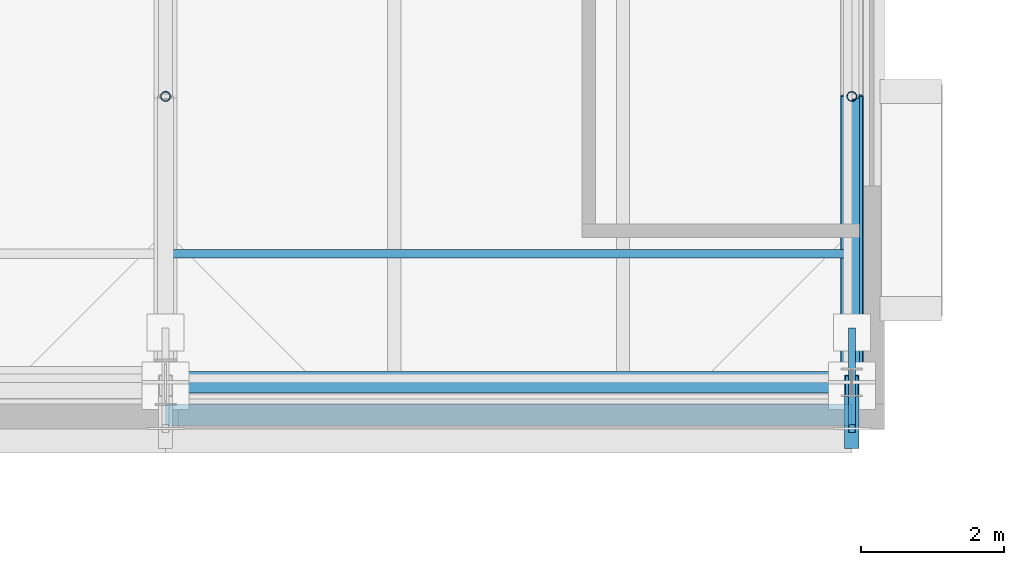
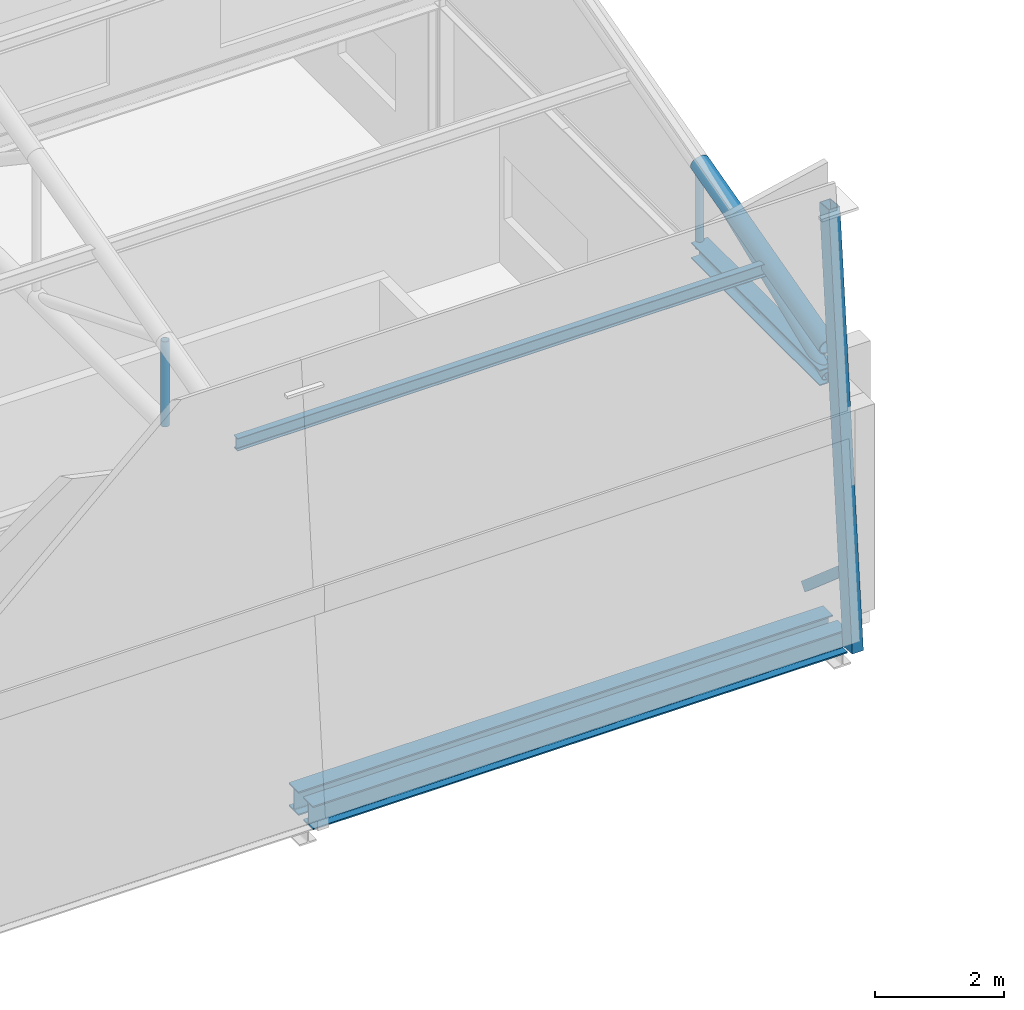
# One storey, part 45 of 89: 8 members, 2 beams.
"""IFC4 building model written with IfcOpenShell, lengths in metres."""

from ifc_helpers import new_model, si_unit, direction, frame, origin, origin_2d, place, context, subcontext, project, spatial, hollow_rectangle, hollow_circle, i_section, extrude, material, material_profile, profile_set, type_object, element, save


model = new_model("IFC4")

# Units and contexts
model_context = context("Model", 3, precision=1e-05, world=origin(), true_north=direction((0.0, 1.0)))
body_context = subcontext(model_context, "Body", "Model", "MODEL_VIEW")
ifc_project = project(units=[si_unit("LENGTHUNIT", "METRE"), si_unit("AREAUNIT", "SQUARE_METRE"), si_unit("VOLUMEUNIT", "CUBIC_METRE"), si_unit("PLANEANGLEUNIT", "RADIAN"), si_unit("MASSUNIT", "GRAM", prefix="KILO")], contexts=[model_context])

# Site, building, storey
site_placement = place(None, origin())
site = spatial("IfcSite", under=ifc_project, at=site_placement, CompositionType="ELEMENT")
building_placement = place(site_placement, origin())
building = spatial("IfcBuilding", under=site, at=building_placement, Name="Zereglee Splitstone Museum", CompositionType="ELEMENT")
storey_placement = place(building_placement, frame((0.0, 0.0, 21.300048828125)))
storey = spatial("IfcBuildingStorey", under=building, at=storey_placement, Name="L04", CompositionType="ELEMENT", Elevation=21.300048828125)

# Members
ifc_material_1 = material(Name="Steel S355J2H", Category="steel")
ifc_material_profile_1 = material_profile(ifc_material_1, hollow_circle(Radius=0.109619140625, WallThickness=0.010009765625, at=origin_2d()), Name="CHS 219.1x10")
ifc_profile_set_1 = profile_set([ifc_material_profile_1], Name="Steel S355J2H")
member_type_1 = type_object("IfcMemberType", Name="TB-03", PredefinedType="BRACE", material=ifc_profile_set_1)
member_1_placement = place(storey_placement, frame((145.199951171875, 9.60009765625, 4.199951171875), z_axis=(0.0, 0.927136001435, 0.374725012299), x_axis=(-1.0, 0.0, 0.0)))
element("IfcMember", 1, at=member_1_placement, inside=storey, type_object=member_type_1, Name="Roof Truss ST-08 Diagonal 1.1", PredefinedType="BRACE", context=body_context, shape_type="SweptSolid", body=[
    extrude(hollow_circle(Radius=0.109619140625, WallThickness=0.010009765625, at=origin_2d()), origin(), (0.0, 0.0, 1.0), 4.314453125),
])
ifc_material_profile_2 = material_profile(ifc_material_1, hollow_circle(Radius=0.161865234375, WallThickness=0.01611328125, at=origin_2d()), Name="CHS 323.9x16")
ifc_profile_set_2 = profile_set([ifc_material_profile_2], Name="Steel S355J2H")
member_type_2 = type_object("IfcMemberType", Name="TC-05", PredefinedType="CHORD", material=ifc_profile_set_2)
member_2_placement = place(storey_placement, frame((145.199951171875, 9.60009765625, 4.75), z_axis=(0.0, 0.966235918422, 0.257658979955), x_axis=(-1.0, 0.0, 0.0)))
element("IfcMember", 2, at=member_2_placement, inside=storey, type_object=member_type_2, Name="Roof Truss ST-08 Top Chord 1.1", PredefinedType="CHORD", context=body_context, shape_type="SweptSolid", body=[
    extrude(hollow_circle(Radius=0.161865234375, WallThickness=0.01611328125, at=origin_2d()), origin(), (0.0, 0.0, 1.0), 4.139892578125),
])
ifc_material_2 = material(Name="Steel S355J2", Category="steel")
ifc_material_profile_3 = material_profile(ifc_material_2, i_section(OverallWidth=0.300048828125, OverallDepth=0.300048828125, WebThickness=0.010986328125, FlangeThickness=0.01904296875, FilletRadius=0.027099609375, at=origin_2d()), Name="HE 300 B")
ifc_profile_set_3 = profile_set([ifc_material_profile_3], Name="Steel S355J2")
member_type_3 = type_object("IfcMemberType", Name="TC-07", PredefinedType="CHORD", material=ifc_profile_set_3)
member_3_placement = place(storey_placement, frame((145.199951171875, 9.60009765625, 4.199951171875), z_axis=(0.0, 1.0, 0.0), x_axis=(-1.0, 0.0, 0.0)))
element("IfcMember", 3, at=member_3_placement, inside=storey, type_object=member_type_3, Name="Roof Truss ST-08 Bottom Chord 1.1", PredefinedType="CHORD", context=body_context, shape_type="SweptSolid", body=[
    extrude(i_section(OverallWidth=0.300048828125, OverallDepth=0.300048828125, WebThickness=0.010986328125, FlangeThickness=0.01904296875, FilletRadius=0.027099609375, at=origin_2d()), origin(), (0.0, 0.0, 1.0), 4.0),
])
ifc_material_profile_4 = material_profile(ifc_material_1, hollow_circle(Radius=0.06982421875, WallThickness=0.008056640625, at=origin_2d()), Name="CHS 139.7x8")
ifc_profile_set_4 = profile_set([ifc_material_profile_4], Name="Steel S355J2H")
member_type_4 = type_object("IfcMemberType", Name="TP-03", PredefinedType="POST", material=ifc_profile_set_4)
for number, where, z_axis, x_axis, name in (
    (4, (135.60009765625, 13.60009765625, 4.199951171875), (0.0, 0.0, 1.0), (1.0, 0.0, 0.0), "Roof Truss ST-07 Post 1.1"),
    (5, (145.199951171875, 13.60009765625, 4.199951171875), (0.0, 0.0, 1.0), (1.0, 0.0, 0.0), "Roof Truss ST-08 Post 1.1"),
):
    element("IfcMember", number, at=place(storey_placement, frame(where, z_axis=z_axis, x_axis=x_axis)), inside=storey, type_object=member_type_4, Name=name, PredefinedType="POST", context=body_context, shape_type="SweptSolid", body=[
        extrude(hollow_circle(Radius=0.06982421875, WallThickness=0.008056640625, at=origin_2d()), origin(), (0.0, 0.0, 1.0), 1.61669921875),
    ])
ifc_material_profile_5 = material_profile(ifc_material_2, i_section(OverallWidth=0.1201171875, OverallDepth=0.239990234375, WebThickness=0.006103515625, FlangeThickness=0.009765625, FilletRadius=0.014892578125, at=origin_2d()), Name="IPE 240")
ifc_profile_set_5 = profile_set([ifc_material_profile_5], Name="Steel S355J2")
member_type_5 = type_object("IfcMemberType", Name="PR-03", PredefinedType="PURLIN", material=ifc_profile_set_5)
member_4_placement = place(storey_placement, frame((135.60009765625, 11.39990234375, 5.18408203125), z_axis=(1.0, 0.0, 0.0), x_axis=(0.0, 1.0, 0.0)))
element("IfcMember", 6, at=member_4_placement, inside=storey, type_object=member_type_5, Name="Sawtooth Roof Purlin B7-S1-1", PredefinedType="PURLIN", context=body_context, shape_type="SweptSolid", body=[
    extrude(i_section(OverallWidth=0.1201171875, OverallDepth=0.239990234375, WebThickness=0.006103515625, FlangeThickness=0.009765625, FilletRadius=0.014892578125, at=origin_2d()), origin(), (0.0, 0.0, 1.0), 9.599853515625),
])

# Beams
ifc_material_profile_6 = material_profile(ifc_material_2, i_section(OverallWidth=0.300048828125, OverallDepth=0.449951171875, WebThickness=0.013916015625, FlangeThickness=0.02587890625, FilletRadius=0.027099609375, at=origin_2d()), Name="HE 450 B")
ifc_profile_set_6 = profile_set([ifc_material_profile_6], Name="Steel S355J2")
beam_type = type_object("IfcBeamType", Name="SP-02", PredefinedType="SPANDREL", material=ifc_profile_set_6)
for number, where, z_axis, x_axis, name in (
    (7, (135.60009765625, 9.60009765625, -0.485107421875), (1.0, 0.0, 0.0), (0.0, 1.0, 0.0), "Primary Girder L04 B (135.6-145.2)"),
    (8, (135.60009765625, 9.14990234375, -0.485107421875), (1.0, 0.0, 0.0), (0.0, 1.0, 0.0), "Hovering Soffit Spandrel L04 (135.6-145.2)"),
):
    element("IfcBeam", number, at=place(storey_placement, frame(where, z_axis=z_axis, x_axis=x_axis)), inside=storey, type_object=beam_type, Name=name, PredefinedType="SPANDREL", context=body_context, shape_type="SweptSolid", body=[
        extrude(i_section(OverallWidth=0.300048828125, OverallDepth=0.449951171875, WebThickness=0.013916015625, FlangeThickness=0.02587890625, FilletRadius=0.027099609375, at=origin_2d()), origin(), (0.0, 0.0, 1.0), 9.599853515625),
    ])

# Members
ifc_material_profile_7 = material_profile(ifc_material_1, hollow_rectangle(XDim=0.199951171875, YDim=0.300048828125, WallThickness=0.012451171875, at=origin_2d()), Name="RHS 300x200x12.5")
ifc_profile_set_7 = profile_set([ifc_material_profile_7], Name="Steel S355J2H")
member_type_6 = type_object("IfcMemberType", Name="FS-R1", PredefinedType="STRUT", material=ifc_profile_set_7)
member_5_placement = place(storey_placement, frame((145.199951171875, 8.8232421875, -0.510009765625), z_axis=(0.0, 0.090892411904, 0.995860717901), x_axis=(-1.0, 0.0, 0.0)))
element("IfcMember", 9, at=member_5_placement, inside=storey, type_object=member_type_6, Name="Split-Rock Continuous Facet Strut FH-V2SE L04-03", PredefinedType="STRUT", context=body_context, shape_type="SweptSolid", body=[
    extrude(hollow_rectangle(XDim=0.199951171875, YDim=0.300048828125, WallThickness=0.012451171875, at=origin_2d()), origin(), (0.0, 0.0, 1.0), 8.023193359375),
])
ifc_material_profile_8 = material_profile(ifc_material_1, hollow_rectangle(XDim=0.10009765625, YDim=0.179931640625, WallThickness=0.008056640625, at=origin_2d()), Name="RHS 180x100x8")
ifc_profile_set_8 = profile_set([ifc_material_profile_8], Name="Steel S355J2H")
member_type_7 = type_object("IfcMemberType", Name="FS-T2", PredefinedType="STRUT", material=ifc_profile_set_8)
member_6_placement = place(storey_placement, frame((145.199951171875, 10.300048828125, -0.219970703125), z_axis=(0.0, -0.757166062891, 0.65322243777), x_axis=(1.0, 0.0, 0.0)))
element("IfcMember", 10, at=member_6_placement, inside=storey, type_object=member_type_7, Name="Facet Tie-Back Strut FH-V2SE L04-03", PredefinedType="STRUT", context=body_context, shape_type="SweptSolid", body=[
    extrude(hollow_rectangle(XDim=0.10009765625, YDim=0.179931640625, WallThickness=0.008056640625, at=origin_2d()), origin(), (0.0, 0.0, 1.0), 1.775634765625),
])

save(model, "model.ifc")
